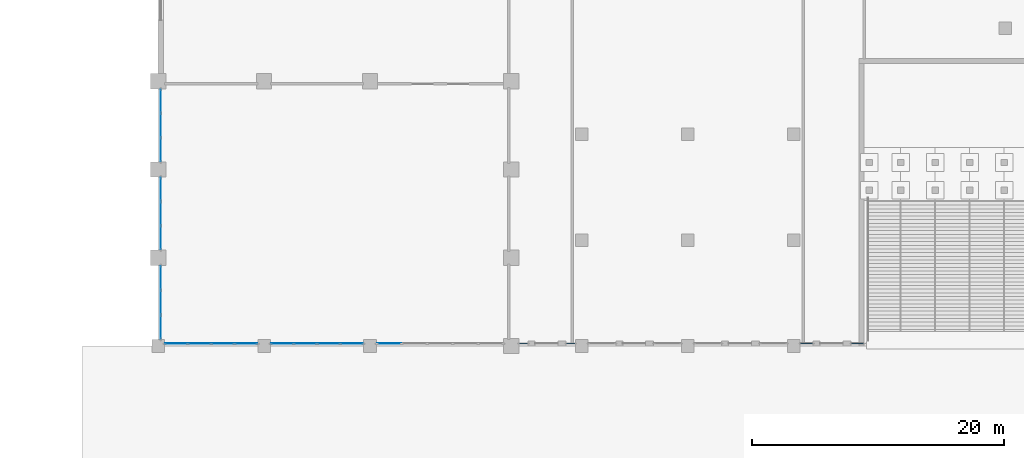
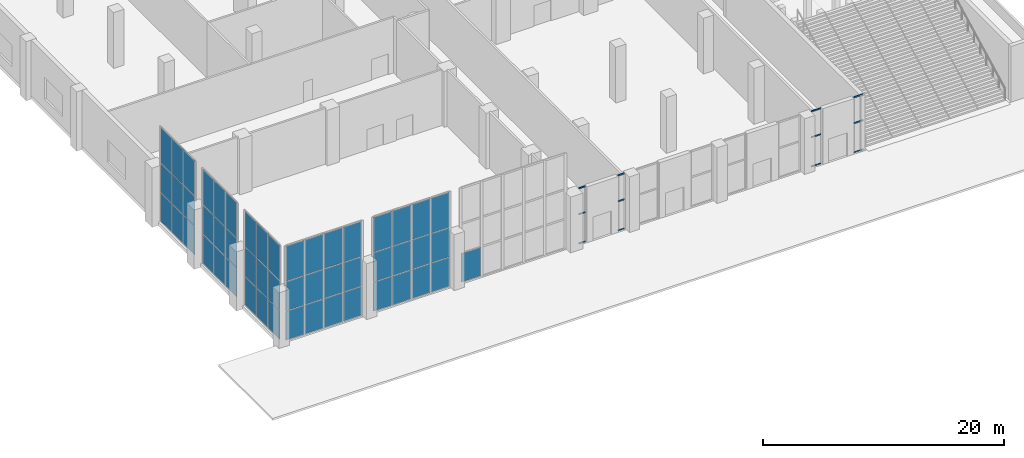
# One storey, part 8 of 25: 52 plates, 12 members, 10 elements without a shape of their own.
"""IFC4 building model written with IfcOpenShell, lengths in metres."""

from ifc_helpers import new_model, si_unit, direction, frame, origin, origin_2d, place, context, subcontext, project, spatial, rectangle, hollow_rectangle, extrude, material, layer, layer_set, material_profile, profile_set, type_object, element, aggregate, save


model = new_model("IFC4")

# Units and contexts
model_context = context("Model", 3, precision=1e-05, world=origin(), true_north=direction((0.0, 1.0)))
body_context = subcontext(model_context, "Body", "Model", "MODEL_VIEW")
ifc_project = project(units=[si_unit("LENGTHUNIT", "METRE"), si_unit("AREAUNIT", "SQUARE_METRE"), si_unit("VOLUMEUNIT", "CUBIC_METRE"), si_unit("PLANEANGLEUNIT", "RADIAN"), si_unit("MASSUNIT", "GRAM", prefix="KILO")], contexts=[model_context])

# Site, building, storey
site_placement = place(None, origin())
site = spatial("IfcSite", under=ifc_project, at=site_placement, CompositionType="ELEMENT")
building_placement = place(site_placement, origin())
building = spatial("IfcBuilding", under=site, at=building_placement, Name="Ostrander Bayou Hotel Tower", CompositionType="ELEMENT")
storey_placement = place(building_placement, origin())
storey = spatial("IfcBuildingStorey", under=building, at=storey_placement, Name="L00", CompositionType="ELEMENT", Elevation=0.0)

# Curtain wall, members
ifc_material_1 = material(Name="Aluminium and clear glass", Category="aluminium")
curtain_wall_type_1 = type_object("IfcCurtainWallType", Name="CW-LOBBY glazed wall", PredefinedType="NOTDEFINED", material=ifc_material_1)
curtain_wall_1_placement = place(storey_placement, origin())
curtain_wall_1 = element("IfcCurtainWall", 1, at=curtain_wall_1_placement, inside=storey, type_object=curtain_wall_type_1, Name="CW-LOBBY L00:2:A", PredefinedType="NOTDEFINED")
ifc_material_2 = material(Name="Aluminium", Category="aluminium")
ifc_material_profile = material_profile(ifc_material_2, hollow_rectangle(XDim=0.070068359375, YDim=0.139892578125, WallThickness=0.00390625, at=origin_2d()))
ifc_profile_set = profile_set([ifc_material_profile], Name="Aluminium")
member_type = type_object("IfcMemberType", Name="CW-LO transom 70 x 140 mm", PredefinedType="USERDEFINED", material=ifc_profile_set)
member_1_placement = place(storey_placement, frame((13.93994140625, -50.199951171875, 0.030029296875), z_axis=(-1.0, 0.0, 0.0), x_axis=(0.0, -1.0, 0.0)))
member_1 = element("IfcMember", 2, at=member_1_placement, type_object=member_type, Name="CW-LOBBY transom 1.1", ObjectType="TRANSOM", PredefinedType="USERDEFINED", context=body_context, shape_type="SweptSolid", body=[
    extrude(hollow_rectangle(XDim=0.070068359375, YDim=0.139892578125, WallThickness=0.00390625, at=origin_2d()), origin(), (0.0, 0.0, 1.0), 0.929931640625),
])
member_2_placement = place(storey_placement, frame((13.93994140625, -50.199951171875, 3.0), z_axis=(-1.0, 0.0, 0.0), x_axis=(0.0, -1.0, 0.0)))
member_2 = element("IfcMember", 3, at=member_2_placement, type_object=member_type, Name="CW-LOBBY transom 1.2", ObjectType="TRANSOM", PredefinedType="USERDEFINED", context=body_context, shape_type="SweptSolid", body=[
    extrude(hollow_rectangle(XDim=0.070068359375, YDim=0.139892578125, WallThickness=0.00390625, at=origin_2d()), origin(), (0.0, 0.0, 1.0), 0.929931640625),
])
member_3_placement = place(storey_placement, frame((13.93994140625, -50.199951171875, 5.6201171875), z_axis=(-1.0, 0.0, 0.0), x_axis=(0.0, -1.0, 0.0)))
member_3 = element("IfcMember", 4, at=member_3_placement, type_object=member_type, Name="CW-LOBBY transom 1.3", ObjectType="TRANSOM", PredefinedType="USERDEFINED", context=body_context, shape_type="SweptSolid", body=[
    extrude(hollow_rectangle(XDim=0.070068359375, YDim=0.139892578125, WallThickness=0.00390625, at=origin_2d()), origin(), (0.0, 0.0, 1.0), 0.929931640625),
])
aggregate(curtain_wall_1, [member_1, member_2, member_3])

curtain_wall_2_placement = place(storey_placement, origin())
curtain_wall_2 = element("IfcCurtainWall", 5, at=curtain_wall_2_placement, inside=storey, type_object=curtain_wall_type_1, Name="CW-LOBBY L00:2:B", PredefinedType="NOTDEFINED")
member_4_placement = place(storey_placement, frame((9.889892578125, -50.199951171875, 0.030029296875), z_axis=(-1.0, 0.0, 0.0), x_axis=(0.0, -1.0, 0.0)))
member_4 = element("IfcMember", 6, at=member_4_placement, type_object=member_type, Name="CW-LOBBY transom 1.1", ObjectType="TRANSOM", PredefinedType="USERDEFINED", context=body_context, shape_type="SweptSolid", body=[
    extrude(hollow_rectangle(XDim=0.070068359375, YDim=0.139892578125, WallThickness=0.00390625, at=origin_2d()), origin(), (0.0, 0.0, 1.0), 0.929931640625),
])
member_5_placement = place(storey_placement, frame((9.889892578125, -50.199951171875, 3.0), z_axis=(-1.0, 0.0, 0.0), x_axis=(0.0, -1.0, 0.0)))
member_5 = element("IfcMember", 7, at=member_5_placement, type_object=member_type, Name="CW-LOBBY transom 1.2", ObjectType="TRANSOM", PredefinedType="USERDEFINED", context=body_context, shape_type="SweptSolid", body=[
    extrude(hollow_rectangle(XDim=0.070068359375, YDim=0.139892578125, WallThickness=0.00390625, at=origin_2d()), origin(), (0.0, 0.0, 1.0), 0.929931640625),
])
member_6_placement = place(storey_placement, frame((9.889892578125, -50.199951171875, 5.6201171875), z_axis=(-1.0, 0.0, 0.0), x_axis=(0.0, -1.0, 0.0)))
member_6 = element("IfcMember", 8, at=member_6_placement, type_object=member_type, Name="CW-LOBBY transom 1.3", ObjectType="TRANSOM", PredefinedType="USERDEFINED", context=body_context, shape_type="SweptSolid", body=[
    extrude(hollow_rectangle(XDim=0.070068359375, YDim=0.139892578125, WallThickness=0.00390625, at=origin_2d()), origin(), (0.0, 0.0, 1.0), 0.929931640625),
])
aggregate(curtain_wall_2, [member_4, member_5, member_6])

curtain_wall_3_placement = place(storey_placement, origin())
curtain_wall_3 = element("IfcCurtainWall", 9, at=curtain_wall_3_placement, inside=storey, type_object=curtain_wall_type_1, Name="CW-LOBBY L00:5:A", PredefinedType="NOTDEFINED")
member_7_placement = place(storey_placement, frame((-8.9599609375, -50.199951171875, 0.030029296875), z_axis=(-1.0, 0.0, 0.0), x_axis=(0.0, -1.0, 0.0)))
member_7 = element("IfcMember", 10, at=member_7_placement, type_object=member_type, Name="CW-LOBBY transom 1.1", ObjectType="TRANSOM", PredefinedType="USERDEFINED", context=body_context, shape_type="SweptSolid", body=[
    extrude(hollow_rectangle(XDim=0.070068359375, YDim=0.139892578125, WallThickness=0.00390625, at=origin_2d()), origin(), (0.0, 0.0, 1.0), 0.630126953125),
])
member_8_placement = place(storey_placement, frame((-8.9599609375, -50.199951171875, 3.0), z_axis=(-1.0, 0.0, 0.0), x_axis=(0.0, -1.0, 0.0)))
member_8 = element("IfcMember", 11, at=member_8_placement, type_object=member_type, Name="CW-LOBBY transom 1.2", ObjectType="TRANSOM", PredefinedType="USERDEFINED", context=body_context, shape_type="SweptSolid", body=[
    extrude(hollow_rectangle(XDim=0.070068359375, YDim=0.139892578125, WallThickness=0.00390625, at=origin_2d()), origin(), (0.0, 0.0, 1.0), 0.630126953125),
])
member_9_placement = place(storey_placement, frame((-8.9599609375, -50.199951171875, 5.6201171875), z_axis=(-1.0, 0.0, 0.0), x_axis=(0.0, -1.0, 0.0)))
member_9 = element("IfcMember", 12, at=member_9_placement, type_object=member_type, Name="CW-LOBBY transom 1.3", ObjectType="TRANSOM", PredefinedType="USERDEFINED", context=body_context, shape_type="SweptSolid", body=[
    extrude(hollow_rectangle(XDim=0.070068359375, YDim=0.139892578125, WallThickness=0.00390625, at=origin_2d()), origin(), (0.0, 0.0, 1.0), 0.630126953125),
])
aggregate(curtain_wall_3, [member_7, member_8, member_9])

curtain_wall_4_placement = place(storey_placement, origin())
curtain_wall_4 = element("IfcCurtainWall", 13, at=curtain_wall_4_placement, inside=storey, type_object=curtain_wall_type_1, Name="CW-LOBBY L00:5:B", PredefinedType="NOTDEFINED")
member_10_placement = place(storey_placement, frame((-12.7099609375, -50.199951171875, 0.030029296875), z_axis=(-1.0, 0.0, 0.0), x_axis=(0.0, -1.0, 0.0)))
member_10 = element("IfcMember", 14, at=member_10_placement, type_object=member_type, Name="CW-LOBBY transom 1.1", ObjectType="TRANSOM", PredefinedType="USERDEFINED", context=body_context, shape_type="SweptSolid", body=[
    extrude(hollow_rectangle(XDim=0.070068359375, YDim=0.139892578125, WallThickness=0.00390625, at=origin_2d()), origin(), (0.0, 0.0, 1.0), 0.630126953125),
])
member_11_placement = place(storey_placement, frame((-12.7099609375, -50.199951171875, 3.0), z_axis=(-1.0, 0.0, 0.0), x_axis=(0.0, -1.0, 0.0)))
member_11 = element("IfcMember", 15, at=member_11_placement, type_object=member_type, Name="CW-LOBBY transom 1.2", ObjectType="TRANSOM", PredefinedType="USERDEFINED", context=body_context, shape_type="SweptSolid", body=[
    extrude(hollow_rectangle(XDim=0.070068359375, YDim=0.139892578125, WallThickness=0.00390625, at=origin_2d()), origin(), (0.0, 0.0, 1.0), 0.630126953125),
])
member_12_placement = place(storey_placement, frame((-12.7099609375, -50.199951171875, 5.6201171875), z_axis=(-1.0, 0.0, 0.0), x_axis=(0.0, -1.0, 0.0)))
member_12 = element("IfcMember", 16, at=member_12_placement, type_object=member_type, Name="CW-LOBBY transom 1.3", ObjectType="TRANSOM", PredefinedType="USERDEFINED", context=body_context, shape_type="SweptSolid", body=[
    extrude(hollow_rectangle(XDim=0.070068359375, YDim=0.139892578125, WallThickness=0.00390625, at=origin_2d()), origin(), (0.0, 0.0, 1.0), 0.630126953125),
])
aggregate(curtain_wall_4, [member_10, member_11, member_12])

# Curtain wall, plate
ifc_material_3 = material(Name="Aluminium and clear glass", Category="aluminium")
curtain_wall_type_2 = type_object("IfcCurtainWallType", Name="CW-BALL glazed wall", PredefinedType="NOTDEFINED", material=ifc_material_3)
curtain_wall_5_placement = place(storey_placement, origin())
curtain_wall_5 = element("IfcCurtainWall", 17, at=curtain_wall_5_placement, inside=storey, type_object=curtain_wall_type_2, Name="CW-BALL L00:6", PredefinedType="NOTDEFINED")
ifc_material_4 = material(Name="Clear laminated glass", Category="glass")
ifc_layer = layer(ifc_material_4, 0.028076171875)
ifc_layer_set = layer_set([ifc_layer], Name="CW-BL glazing panel 28 mm")
plate_type = type_object("IfcPlateType", Name="CW-BL glazing panel 28 mm", PredefinedType="CURTAIN_PANEL", material=ifc_layer_set)
plate_1_placement = place(storey_placement, frame((-23.675048828125, -50.199951171875, 0.06005859375), z_axis=(0.0, 0.0, 1.0), x_axis=(-1.0, 0.0, 0.0)))
plate_1 = element("IfcPlate", 18, at=plate_1_placement, type_object=plate_type, Name="CW-BALL panel 5.1", PredefinedType="CURTAIN_PANEL", context=body_context, shape_type="SweptSolid", body=[
    extrude(rectangle(XDim=1.929931640625, YDim=0.028076171875, at=origin_2d()), origin(), (0.0, 0.0, 1.0), 2.909912109375),
])
aggregate(curtain_wall_5, [plate_1])

# Curtain wall, plates
curtain_wall_6_placement = place(storey_placement, origin())
curtain_wall_6 = element("IfcCurtainWall", 19, at=curtain_wall_6_placement, inside=storey, type_object=curtain_wall_type_2, Name="CW-BALL L00:7", PredefinedType="NOTDEFINED")
plate_2_placement = place(storey_placement, frame((-26.639892578125, -50.199951171875, 0.06005859375), z_axis=(0.0, 0.0, 1.0), x_axis=(-1.0, 0.0, 0.0)))
plate_2 = element("IfcPlate", 20, at=plate_2_placement, type_object=plate_type, Name="CW-BALL panel 1.1", PredefinedType="CURTAIN_PANEL", context=body_context, shape_type="SweptSolid", body=[
    extrude(rectangle(XDim=1.760009765625, YDim=0.028076171875, at=origin_2d()), origin(), (0.0, 0.0, 1.0), 2.909912109375),
])
plate_3_placement = place(storey_placement, frame((-26.639892578125, -50.199951171875, 3.030029296875), z_axis=(0.0, 0.0, 1.0), x_axis=(-1.0, 0.0, 0.0)))
plate_3 = element("IfcPlate", 21, at=plate_3_placement, type_object=plate_type, Name="CW-BALL panel 1.2", PredefinedType="CURTAIN_PANEL", context=body_context, shape_type="SweptSolid", body=[
    extrude(rectangle(XDim=1.760009765625, YDim=0.028076171875, at=origin_2d()), origin(), (0.0, 0.0, 1.0), 2.93994140625),
])
plate_4_placement = place(storey_placement, frame((-26.639892578125, -50.199951171875, 6.030029296875), z_axis=(0.0, 0.0, 1.0), x_axis=(-1.0, 0.0, 0.0)))
plate_4 = element("IfcPlate", 22, at=plate_4_placement, type_object=plate_type, Name="CW-BALL panel 1.3", PredefinedType="CURTAIN_PANEL", context=body_context, shape_type="SweptSolid", body=[
    extrude(rectangle(XDim=1.760009765625, YDim=0.028076171875, at=origin_2d()), origin(), (0.0, 0.0, 1.0), 3.56005859375),
])
plate_5_placement = place(storey_placement, frame((-28.47509765625, -50.199951171875, 0.06005859375), z_axis=(0.0, 0.0, 1.0), x_axis=(-1.0, 0.0, 0.0)))
plate_5 = element("IfcPlate", 23, at=plate_5_placement, type_object=plate_type, Name="CW-BALL panel 2.1", PredefinedType="CURTAIN_PANEL", context=body_context, shape_type="SweptSolid", body=[
    extrude(rectangle(XDim=1.7900390625, YDim=0.028076171875, at=origin_2d()), origin(), (0.0, 0.0, 1.0), 2.909912109375),
])
plate_6_placement = place(storey_placement, frame((-28.47509765625, -50.199951171875, 3.030029296875), z_axis=(0.0, 0.0, 1.0), x_axis=(-1.0, 0.0, 0.0)))
plate_6 = element("IfcPlate", 24, at=plate_6_placement, type_object=plate_type, Name="CW-BALL panel 2.2", PredefinedType="CURTAIN_PANEL", context=body_context, shape_type="SweptSolid", body=[
    extrude(rectangle(XDim=1.7900390625, YDim=0.028076171875, at=origin_2d()), origin(), (0.0, 0.0, 1.0), 2.93994140625),
])
plate_7_placement = place(storey_placement, frame((-28.47509765625, -50.199951171875, 6.030029296875), z_axis=(0.0, 0.0, 1.0), x_axis=(-1.0, 0.0, 0.0)))
plate_7 = element("IfcPlate", 25, at=plate_7_placement, type_object=plate_type, Name="CW-BALL panel 2.3", PredefinedType="CURTAIN_PANEL", context=body_context, shape_type="SweptSolid", body=[
    extrude(rectangle(XDim=1.7900390625, YDim=0.028076171875, at=origin_2d()), origin(), (0.0, 0.0, 1.0), 3.56005859375),
])
plate_8_placement = place(storey_placement, frame((-30.324951171875, -50.199951171875, 0.06005859375), z_axis=(0.0, 0.0, 1.0), x_axis=(-1.0, 0.0, 0.0)))
plate_8 = element("IfcPlate", 26, at=plate_8_placement, type_object=plate_type, Name="CW-BALL panel 3.1", PredefinedType="CURTAIN_PANEL", context=body_context, shape_type="SweptSolid", body=[
    extrude(rectangle(XDim=1.7900390625, YDim=0.028076171875, at=origin_2d()), origin(), (0.0, 0.0, 1.0), 2.909912109375),
])
plate_9_placement = place(storey_placement, frame((-30.324951171875, -50.199951171875, 3.030029296875), z_axis=(0.0, 0.0, 1.0), x_axis=(-1.0, 0.0, 0.0)))
plate_9 = element("IfcPlate", 27, at=plate_9_placement, type_object=plate_type, Name="CW-BALL panel 3.2", PredefinedType="CURTAIN_PANEL", context=body_context, shape_type="SweptSolid", body=[
    extrude(rectangle(XDim=1.7900390625, YDim=0.028076171875, at=origin_2d()), origin(), (0.0, 0.0, 1.0), 2.93994140625),
])
plate_10_placement = place(storey_placement, frame((-30.324951171875, -50.199951171875, 6.030029296875), z_axis=(0.0, 0.0, 1.0), x_axis=(-1.0, 0.0, 0.0)))
plate_10 = element("IfcPlate", 28, at=plate_10_placement, type_object=plate_type, Name="CW-BALL panel 3.3", PredefinedType="CURTAIN_PANEL", context=body_context, shape_type="SweptSolid", body=[
    extrude(rectangle(XDim=1.7900390625, YDim=0.028076171875, at=origin_2d()), origin(), (0.0, 0.0, 1.0), 3.56005859375),
])
plate_11_placement = place(storey_placement, frame((-32.159912109375, -50.199951171875, 0.06005859375), z_axis=(0.0, 0.0, 1.0), x_axis=(-1.0, 0.0, 0.0)))
plate_11 = element("IfcPlate", 29, at=plate_11_placement, type_object=plate_type, Name="CW-BALL panel 4.1", PredefinedType="CURTAIN_PANEL", context=body_context, shape_type="SweptSolid", body=[
    extrude(rectangle(XDim=1.760009765625, YDim=0.028076171875, at=origin_2d()), origin(), (0.0, 0.0, 1.0), 2.909912109375),
])
plate_12_placement = place(storey_placement, frame((-32.159912109375, -50.199951171875, 3.030029296875), z_axis=(0.0, 0.0, 1.0), x_axis=(-1.0, 0.0, 0.0)))
plate_12 = element("IfcPlate", 30, at=plate_12_placement, type_object=plate_type, Name="CW-BALL panel 4.2", PredefinedType="CURTAIN_PANEL", context=body_context, shape_type="SweptSolid", body=[
    extrude(rectangle(XDim=1.760009765625, YDim=0.028076171875, at=origin_2d()), origin(), (0.0, 0.0, 1.0), 2.93994140625),
])
plate_13_placement = place(storey_placement, frame((-32.159912109375, -50.199951171875, 6.030029296875), z_axis=(0.0, 0.0, 1.0), x_axis=(-1.0, 0.0, 0.0)))
plate_13 = element("IfcPlate", 31, at=plate_13_placement, type_object=plate_type, Name="CW-BALL panel 4.3", PredefinedType="CURTAIN_PANEL", context=body_context, shape_type="SweptSolid", body=[
    extrude(rectangle(XDim=1.760009765625, YDim=0.028076171875, at=origin_2d()), origin(), (0.0, 0.0, 1.0), 3.56005859375),
])
aggregate(curtain_wall_6, [plate_2, plate_3, plate_4, plate_5, plate_6, plate_7, plate_8, plate_9, plate_10, plate_11, plate_12, plate_13])

curtain_wall_7_placement = place(storey_placement, origin())
curtain_wall_7 = element("IfcCurtainWall", 32, at=curtain_wall_7_placement, inside=storey, type_object=curtain_wall_type_2, Name="CW-BALL L00:8", PredefinedType="NOTDEFINED")
plate_14_placement = place(storey_placement, frame((-35.0400390625, -50.199951171875, 0.06005859375), z_axis=(0.0, 0.0, 1.0), x_axis=(-1.0, 0.0, 0.0)))
plate_14 = element("IfcPlate", 33, at=plate_14_placement, type_object=plate_type, Name="CW-BALL panel 1.1", PredefinedType="CURTAIN_PANEL", context=body_context, shape_type="SweptSolid", body=[
    extrude(rectangle(XDim=1.760009765625, YDim=0.028076171875, at=origin_2d()), origin(), (0.0, 0.0, 1.0), 2.909912109375),
])
plate_15_placement = place(storey_placement, frame((-35.0400390625, -50.199951171875, 3.030029296875), z_axis=(0.0, 0.0, 1.0), x_axis=(-1.0, 0.0, 0.0)))
plate_15 = element("IfcPlate", 34, at=plate_15_placement, type_object=plate_type, Name="CW-BALL panel 1.2", PredefinedType="CURTAIN_PANEL", context=body_context, shape_type="SweptSolid", body=[
    extrude(rectangle(XDim=1.760009765625, YDim=0.028076171875, at=origin_2d()), origin(), (0.0, 0.0, 1.0), 2.93994140625),
])
plate_16_placement = place(storey_placement, frame((-35.0400390625, -50.199951171875, 6.030029296875), z_axis=(0.0, 0.0, 1.0), x_axis=(-1.0, 0.0, 0.0)))
plate_16 = element("IfcPlate", 35, at=plate_16_placement, type_object=plate_type, Name="CW-BALL panel 1.3", PredefinedType="CURTAIN_PANEL", context=body_context, shape_type="SweptSolid", body=[
    extrude(rectangle(XDim=1.760009765625, YDim=0.028076171875, at=origin_2d()), origin(), (0.0, 0.0, 1.0), 3.56005859375),
])
plate_17_placement = place(storey_placement, frame((-36.875, -50.199951171875, 0.06005859375), z_axis=(0.0, 0.0, 1.0), x_axis=(-1.0, 0.0, 0.0)))
plate_17 = element("IfcPlate", 36, at=plate_17_placement, type_object=plate_type, Name="CW-BALL panel 2.1", PredefinedType="CURTAIN_PANEL", context=body_context, shape_type="SweptSolid", body=[
    extrude(rectangle(XDim=1.7900390625, YDim=0.028076171875, at=origin_2d()), origin(), (0.0, 0.0, 1.0), 2.909912109375),
])
plate_18_placement = place(storey_placement, frame((-36.875, -50.199951171875, 3.030029296875), z_axis=(0.0, 0.0, 1.0), x_axis=(-1.0, 0.0, 0.0)))
plate_18 = element("IfcPlate", 37, at=plate_18_placement, type_object=plate_type, Name="CW-BALL panel 2.2", PredefinedType="CURTAIN_PANEL", context=body_context, shape_type="SweptSolid", body=[
    extrude(rectangle(XDim=1.7900390625, YDim=0.028076171875, at=origin_2d()), origin(), (0.0, 0.0, 1.0), 2.93994140625),
])
plate_19_placement = place(storey_placement, frame((-36.875, -50.199951171875, 6.030029296875), z_axis=(0.0, 0.0, 1.0), x_axis=(-1.0, 0.0, 0.0)))
plate_19 = element("IfcPlate", 38, at=plate_19_placement, type_object=plate_type, Name="CW-BALL panel 2.3", PredefinedType="CURTAIN_PANEL", context=body_context, shape_type="SweptSolid", body=[
    extrude(rectangle(XDim=1.7900390625, YDim=0.028076171875, at=origin_2d()), origin(), (0.0, 0.0, 1.0), 3.56005859375),
])
plate_20_placement = place(storey_placement, frame((-38.72509765625, -50.199951171875, 0.06005859375), z_axis=(0.0, 0.0, 1.0), x_axis=(-1.0, 0.0, 0.0)))
plate_20 = element("IfcPlate", 39, at=plate_20_placement, type_object=plate_type, Name="CW-BALL panel 3.1", PredefinedType="CURTAIN_PANEL", context=body_context, shape_type="SweptSolid", body=[
    extrude(rectangle(XDim=1.7900390625, YDim=0.028076171875, at=origin_2d()), origin(), (0.0, 0.0, 1.0), 2.909912109375),
])
plate_21_placement = place(storey_placement, frame((-38.72509765625, -50.199951171875, 3.030029296875), z_axis=(0.0, 0.0, 1.0), x_axis=(-1.0, 0.0, 0.0)))
plate_21 = element("IfcPlate", 40, at=plate_21_placement, type_object=plate_type, Name="CW-BALL panel 3.2", PredefinedType="CURTAIN_PANEL", context=body_context, shape_type="SweptSolid", body=[
    extrude(rectangle(XDim=1.7900390625, YDim=0.028076171875, at=origin_2d()), origin(), (0.0, 0.0, 1.0), 2.93994140625),
])
plate_22_placement = place(storey_placement, frame((-38.72509765625, -50.199951171875, 6.030029296875), z_axis=(0.0, 0.0, 1.0), x_axis=(-1.0, 0.0, 0.0)))
plate_22 = element("IfcPlate", 41, at=plate_22_placement, type_object=plate_type, Name="CW-BALL panel 3.3", PredefinedType="CURTAIN_PANEL", context=body_context, shape_type="SweptSolid", body=[
    extrude(rectangle(XDim=1.7900390625, YDim=0.028076171875, at=origin_2d()), origin(), (0.0, 0.0, 1.0), 3.56005859375),
])
plate_23_placement = place(storey_placement, frame((-40.56005859375, -50.199951171875, 0.06005859375), z_axis=(0.0, 0.0, 1.0), x_axis=(-1.0, 0.0, 0.0)))
plate_23 = element("IfcPlate", 42, at=plate_23_placement, type_object=plate_type, Name="CW-BALL panel 4.1", PredefinedType="CURTAIN_PANEL", context=body_context, shape_type="SweptSolid", body=[
    extrude(rectangle(XDim=1.760009765625, YDim=0.028076171875, at=origin_2d()), origin(), (0.0, 0.0, 1.0), 2.909912109375),
])
plate_24_placement = place(storey_placement, frame((-40.56005859375, -50.199951171875, 3.030029296875), z_axis=(0.0, 0.0, 1.0), x_axis=(-1.0, 0.0, 0.0)))
plate_24 = element("IfcPlate", 43, at=plate_24_placement, type_object=plate_type, Name="CW-BALL panel 4.2", PredefinedType="CURTAIN_PANEL", context=body_context, shape_type="SweptSolid", body=[
    extrude(rectangle(XDim=1.760009765625, YDim=0.028076171875, at=origin_2d()), origin(), (0.0, 0.0, 1.0), 2.93994140625),
])
plate_25_placement = place(storey_placement, frame((-40.56005859375, -50.199951171875, 6.030029296875), z_axis=(0.0, 0.0, 1.0), x_axis=(-1.0, 0.0, 0.0)))
plate_25 = element("IfcPlate", 44, at=plate_25_placement, type_object=plate_type, Name="CW-BALL panel 4.3", PredefinedType="CURTAIN_PANEL", context=body_context, shape_type="SweptSolid", body=[
    extrude(rectangle(XDim=1.760009765625, YDim=0.028076171875, at=origin_2d()), origin(), (0.0, 0.0, 1.0), 3.56005859375),
])
aggregate(curtain_wall_7, [plate_14, plate_15, plate_16, plate_17, plate_18, plate_19, plate_20, plate_21, plate_22, plate_23, plate_24, plate_25])

curtain_wall_8_placement = place(storey_placement, origin())
curtain_wall_8 = element("IfcCurtainWall", 45, at=curtain_wall_8_placement, inside=storey, type_object=curtain_wall_type_2, Name="CW-BALL L00:29", PredefinedType="NOTDEFINED")
plate_26_placement = place(storey_placement, frame((-41.800048828125, -48.901611328125, 0.06005859375), z_axis=(0.0, 0.0, 1.0), x_axis=(0.0, 1.0, 0.0)))
plate_26 = element("IfcPlate", 46, at=plate_26_placement, type_object=plate_type, Name="CW-BALL panel 1.1", PredefinedType="CURTAIN_PANEL", context=body_context, shape_type="SweptSolid", body=[
    extrude(rectangle(XDim=1.876708984375, YDim=0.028076171875, at=origin_2d()), origin(), (0.0, 0.0, 1.0), 2.909912109375),
])
plate_27_placement = place(storey_placement, frame((-41.800048828125, -48.901611328125, 3.030029296875), z_axis=(0.0, 0.0, 1.0), x_axis=(0.0, 1.0, 0.0)))
plate_27 = element("IfcPlate", 47, at=plate_27_placement, type_object=plate_type, Name="CW-BALL panel 1.2", PredefinedType="CURTAIN_PANEL", context=body_context, shape_type="SweptSolid", body=[
    extrude(rectangle(XDim=1.876708984375, YDim=0.028076171875, at=origin_2d()), origin(), (0.0, 0.0, 1.0), 2.93994140625),
])
plate_28_placement = place(storey_placement, frame((-41.800048828125, -48.901611328125, 6.030029296875), z_axis=(0.0, 0.0, 1.0), x_axis=(0.0, 1.0, 0.0)))
plate_28 = element("IfcPlate", 48, at=plate_28_placement, type_object=plate_type, Name="CW-BALL panel 1.3", PredefinedType="CURTAIN_PANEL", context=body_context, shape_type="SweptSolid", body=[
    extrude(rectangle(XDim=1.876708984375, YDim=0.028076171875, at=origin_2d()), origin(), (0.0, 0.0, 1.0), 3.56005859375),
])
plate_29_placement = place(storey_placement, frame((-41.800048828125, -46.949951171875, 0.06005859375), z_axis=(0.0, 0.0, 1.0), x_axis=(0.0, 1.0, 0.0)))
plate_29 = element("IfcPlate", 49, at=plate_29_placement, type_object=plate_type, Name="CW-BALL panel 2.1", PredefinedType="CURTAIN_PANEL", context=body_context, shape_type="SweptSolid", body=[
    extrude(rectangle(XDim=1.90673828125, YDim=0.028076171875, at=origin_2d()), origin(), (0.0, 0.0, 1.0), 2.909912109375),
])
plate_30_placement = place(storey_placement, frame((-41.800048828125, -46.949951171875, 3.030029296875), z_axis=(0.0, 0.0, 1.0), x_axis=(0.0, 1.0, 0.0)))
plate_30 = element("IfcPlate", 50, at=plate_30_placement, type_object=plate_type, Name="CW-BALL panel 2.2", PredefinedType="CURTAIN_PANEL", context=body_context, shape_type="SweptSolid", body=[
    extrude(rectangle(XDim=1.90673828125, YDim=0.028076171875, at=origin_2d()), origin(), (0.0, 0.0, 1.0), 2.93994140625),
])
plate_31_placement = place(storey_placement, frame((-41.800048828125, -46.949951171875, 6.030029296875), z_axis=(0.0, 0.0, 1.0), x_axis=(0.0, 1.0, 0.0)))
plate_31 = element("IfcPlate", 51, at=plate_31_placement, type_object=plate_type, Name="CW-BALL panel 2.3", PredefinedType="CURTAIN_PANEL", context=body_context, shape_type="SweptSolid", body=[
    extrude(rectangle(XDim=1.90673828125, YDim=0.028076171875, at=origin_2d()), origin(), (0.0, 0.0, 1.0), 3.56005859375),
])
plate_32_placement = place(storey_placement, frame((-41.800048828125, -44.998291015625, 0.06005859375), z_axis=(0.0, 0.0, 1.0), x_axis=(0.0, 1.0, 0.0)))
plate_32 = element("IfcPlate", 52, at=plate_32_placement, type_object=plate_type, Name="CW-BALL panel 3.1", PredefinedType="CURTAIN_PANEL", context=body_context, shape_type="SweptSolid", body=[
    extrude(rectangle(XDim=1.876708984375, YDim=0.028076171875, at=origin_2d()), origin(), (0.0, 0.0, 1.0), 2.909912109375),
])
plate_33_placement = place(storey_placement, frame((-41.800048828125, -44.998291015625, 3.030029296875), z_axis=(0.0, 0.0, 1.0), x_axis=(0.0, 1.0, 0.0)))
plate_33 = element("IfcPlate", 53, at=plate_33_placement, type_object=plate_type, Name="CW-BALL panel 3.2", PredefinedType="CURTAIN_PANEL", context=body_context, shape_type="SweptSolid", body=[
    extrude(rectangle(XDim=1.876708984375, YDim=0.028076171875, at=origin_2d()), origin(), (0.0, 0.0, 1.0), 2.93994140625),
])
plate_34_placement = place(storey_placement, frame((-41.800048828125, -44.998291015625, 6.030029296875), z_axis=(0.0, 0.0, 1.0), x_axis=(0.0, 1.0, 0.0)))
plate_34 = element("IfcPlate", 54, at=plate_34_placement, type_object=plate_type, Name="CW-BALL panel 3.3", PredefinedType="CURTAIN_PANEL", context=body_context, shape_type="SweptSolid", body=[
    extrude(rectangle(XDim=1.876708984375, YDim=0.028076171875, at=origin_2d()), origin(), (0.0, 0.0, 1.0), 3.56005859375),
])
aggregate(curtain_wall_8, [plate_26, plate_27, plate_28, plate_29, plate_30, plate_31, plate_32, plate_33, plate_34])

curtain_wall_9_placement = place(storey_placement, origin())
curtain_wall_9 = element("IfcCurtainWall", 55, at=curtain_wall_9_placement, inside=storey, type_object=curtain_wall_type_2, Name="CW-BALL L00:30", PredefinedType="NOTDEFINED")
plate_35_placement = place(storey_placement, frame((-41.800048828125, -41.818359375, 0.06005859375), z_axis=(0.0, 0.0, 1.0), x_axis=(0.0, 1.0, 0.0)))
plate_35 = element("IfcPlate", 56, at=plate_35_placement, type_object=plate_type, Name="CW-BALL panel 1.1", PredefinedType="CURTAIN_PANEL", context=body_context, shape_type="SweptSolid", body=[
    extrude(rectangle(XDim=1.84326171875, YDim=0.028076171875, at=origin_2d()), origin(), (0.0, 0.0, 1.0), 2.909912109375),
])
plate_36_placement = place(storey_placement, frame((-41.800048828125, -41.818359375, 3.030029296875), z_axis=(0.0, 0.0, 1.0), x_axis=(0.0, 1.0, 0.0)))
plate_36 = element("IfcPlate", 57, at=plate_36_placement, type_object=plate_type, Name="CW-BALL panel 1.2", PredefinedType="CURTAIN_PANEL", context=body_context, shape_type="SweptSolid", body=[
    extrude(rectangle(XDim=1.84326171875, YDim=0.028076171875, at=origin_2d()), origin(), (0.0, 0.0, 1.0), 2.93994140625),
])
plate_37_placement = place(storey_placement, frame((-41.800048828125, -41.818359375, 6.030029296875), z_axis=(0.0, 0.0, 1.0), x_axis=(0.0, 1.0, 0.0)))
plate_37 = element("IfcPlate", 58, at=plate_37_placement, type_object=plate_type, Name="CW-BALL panel 1.3", PredefinedType="CURTAIN_PANEL", context=body_context, shape_type="SweptSolid", body=[
    extrude(rectangle(XDim=1.84326171875, YDim=0.028076171875, at=origin_2d()), origin(), (0.0, 0.0, 1.0), 3.56005859375),
])
plate_38_placement = place(storey_placement, frame((-41.800048828125, -39.89990234375, 0.06005859375), z_axis=(0.0, 0.0, 1.0), x_axis=(0.0, 1.0, 0.0)))
plate_38 = element("IfcPlate", 59, at=plate_38_placement, type_object=plate_type, Name="CW-BALL panel 2.1", PredefinedType="CURTAIN_PANEL", context=body_context, shape_type="SweptSolid", body=[
    extrude(rectangle(XDim=1.873291015625, YDim=0.028076171875, at=origin_2d()), origin(), (0.0, 0.0, 1.0), 2.909912109375),
])
plate_39_placement = place(storey_placement, frame((-41.800048828125, -39.89990234375, 3.030029296875), z_axis=(0.0, 0.0, 1.0), x_axis=(0.0, 1.0, 0.0)))
plate_39 = element("IfcPlate", 60, at=plate_39_placement, type_object=plate_type, Name="CW-BALL panel 2.2", PredefinedType="CURTAIN_PANEL", context=body_context, shape_type="SweptSolid", body=[
    extrude(rectangle(XDim=1.873291015625, YDim=0.028076171875, at=origin_2d()), origin(), (0.0, 0.0, 1.0), 2.93994140625),
])
plate_40_placement = place(storey_placement, frame((-41.800048828125, -39.89990234375, 6.030029296875), z_axis=(0.0, 0.0, 1.0), x_axis=(0.0, 1.0, 0.0)))
plate_40 = element("IfcPlate", 61, at=plate_40_placement, type_object=plate_type, Name="CW-BALL panel 2.3", PredefinedType="CURTAIN_PANEL", context=body_context, shape_type="SweptSolid", body=[
    extrude(rectangle(XDim=1.873291015625, YDim=0.028076171875, at=origin_2d()), origin(), (0.0, 0.0, 1.0), 3.56005859375),
])
plate_41_placement = place(storey_placement, frame((-41.800048828125, -37.981689453125, 0.06005859375), z_axis=(0.0, 0.0, 1.0), x_axis=(0.0, 1.0, 0.0)))
plate_41 = element("IfcPlate", 62, at=plate_41_placement, type_object=plate_type, Name="CW-BALL panel 3.1", PredefinedType="CURTAIN_PANEL", context=body_context, shape_type="SweptSolid", body=[
    extrude(rectangle(XDim=1.84326171875, YDim=0.028076171875, at=origin_2d()), origin(), (0.0, 0.0, 1.0), 2.909912109375),
])
plate_42_placement = place(storey_placement, frame((-41.800048828125, -37.981689453125, 3.030029296875), z_axis=(0.0, 0.0, 1.0), x_axis=(0.0, 1.0, 0.0)))
plate_42 = element("IfcPlate", 63, at=plate_42_placement, type_object=plate_type, Name="CW-BALL panel 3.2", PredefinedType="CURTAIN_PANEL", context=body_context, shape_type="SweptSolid", body=[
    extrude(rectangle(XDim=1.84326171875, YDim=0.028076171875, at=origin_2d()), origin(), (0.0, 0.0, 1.0), 2.93994140625),
])
plate_43_placement = place(storey_placement, frame((-41.800048828125, -37.981689453125, 6.030029296875), z_axis=(0.0, 0.0, 1.0), x_axis=(0.0, 1.0, 0.0)))
plate_43 = element("IfcPlate", 64, at=plate_43_placement, type_object=plate_type, Name="CW-BALL panel 3.3", PredefinedType="CURTAIN_PANEL", context=body_context, shape_type="SweptSolid", body=[
    extrude(rectangle(XDim=1.84326171875, YDim=0.028076171875, at=origin_2d()), origin(), (0.0, 0.0, 1.0), 3.56005859375),
])
aggregate(curtain_wall_9, [plate_35, plate_36, plate_37, plate_38, plate_39, plate_40, plate_41, plate_42, plate_43])

curtain_wall_10_placement = place(storey_placement, origin())
curtain_wall_10 = element("IfcCurtainWall", 65, at=curtain_wall_10_placement, inside=storey, type_object=curtain_wall_type_2, Name="CW-BALL L00:31", PredefinedType="NOTDEFINED")
plate_44_placement = place(storey_placement, frame((-41.800048828125, -34.818359375, 0.06005859375), z_axis=(0.0, 0.0, 1.0), x_axis=(0.0, 1.0, 0.0)))
plate_44 = element("IfcPlate", 66, at=plate_44_placement, type_object=plate_type, Name="CW-BALL panel 1.1", PredefinedType="CURTAIN_PANEL", context=body_context, shape_type="SweptSolid", body=[
    extrude(rectangle(XDim=1.84326171875, YDim=0.028076171875, at=origin_2d()), origin(), (0.0, 0.0, 1.0), 2.909912109375),
])
plate_45_placement = place(storey_placement, frame((-41.800048828125, -34.818359375, 3.030029296875), z_axis=(0.0, 0.0, 1.0), x_axis=(0.0, 1.0, 0.0)))
plate_45 = element("IfcPlate", 67, at=plate_45_placement, type_object=plate_type, Name="CW-BALL panel 1.2", PredefinedType="CURTAIN_PANEL", context=body_context, shape_type="SweptSolid", body=[
    extrude(rectangle(XDim=1.84326171875, YDim=0.028076171875, at=origin_2d()), origin(), (0.0, 0.0, 1.0), 2.93994140625),
])
plate_46_placement = place(storey_placement, frame((-41.800048828125, -34.818359375, 6.030029296875), z_axis=(0.0, 0.0, 1.0), x_axis=(0.0, 1.0, 0.0)))
plate_46 = element("IfcPlate", 68, at=plate_46_placement, type_object=plate_type, Name="CW-BALL panel 1.3", PredefinedType="CURTAIN_PANEL", context=body_context, shape_type="SweptSolid", body=[
    extrude(rectangle(XDim=1.84326171875, YDim=0.028076171875, at=origin_2d()), origin(), (0.0, 0.0, 1.0), 3.56005859375),
])
plate_47_placement = place(storey_placement, frame((-41.800048828125, -32.89990234375, 0.06005859375), z_axis=(0.0, 0.0, 1.0), x_axis=(0.0, 1.0, 0.0)))
plate_47 = element("IfcPlate", 69, at=plate_47_placement, type_object=plate_type, Name="CW-BALL panel 2.1", PredefinedType="CURTAIN_PANEL", context=body_context, shape_type="SweptSolid", body=[
    extrude(rectangle(XDim=1.873291015625, YDim=0.028076171875, at=origin_2d()), origin(), (0.0, 0.0, 1.0), 2.909912109375),
])
plate_48_placement = place(storey_placement, frame((-41.800048828125, -32.89990234375, 3.030029296875), z_axis=(0.0, 0.0, 1.0), x_axis=(0.0, 1.0, 0.0)))
plate_48 = element("IfcPlate", 70, at=plate_48_placement, type_object=plate_type, Name="CW-BALL panel 2.2", PredefinedType="CURTAIN_PANEL", context=body_context, shape_type="SweptSolid", body=[
    extrude(rectangle(XDim=1.873291015625, YDim=0.028076171875, at=origin_2d()), origin(), (0.0, 0.0, 1.0), 2.93994140625),
])
plate_49_placement = place(storey_placement, frame((-41.800048828125, -32.89990234375, 6.030029296875), z_axis=(0.0, 0.0, 1.0), x_axis=(0.0, 1.0, 0.0)))
plate_49 = element("IfcPlate", 71, at=plate_49_placement, type_object=plate_type, Name="CW-BALL panel 2.3", PredefinedType="CURTAIN_PANEL", context=body_context, shape_type="SweptSolid", body=[
    extrude(rectangle(XDim=1.873291015625, YDim=0.028076171875, at=origin_2d()), origin(), (0.0, 0.0, 1.0), 3.56005859375),
])
plate_50_placement = place(storey_placement, frame((-41.800048828125, -30.981689453125, 0.06005859375), z_axis=(0.0, 0.0, 1.0), x_axis=(0.0, 1.0, 0.0)))
plate_50 = element("IfcPlate", 72, at=plate_50_placement, type_object=plate_type, Name="CW-BALL panel 3.1", PredefinedType="CURTAIN_PANEL", context=body_context, shape_type="SweptSolid", body=[
    extrude(rectangle(XDim=1.84326171875, YDim=0.028076171875, at=origin_2d()), origin(), (0.0, 0.0, 1.0), 2.909912109375),
])
plate_51_placement = place(storey_placement, frame((-41.800048828125, -30.981689453125, 3.030029296875), z_axis=(0.0, 0.0, 1.0), x_axis=(0.0, 1.0, 0.0)))
plate_51 = element("IfcPlate", 73, at=plate_51_placement, type_object=plate_type, Name="CW-BALL panel 3.2", PredefinedType="CURTAIN_PANEL", context=body_context, shape_type="SweptSolid", body=[
    extrude(rectangle(XDim=1.84326171875, YDim=0.028076171875, at=origin_2d()), origin(), (0.0, 0.0, 1.0), 2.93994140625),
])
plate_52_placement = place(storey_placement, frame((-41.800048828125, -30.981689453125, 6.030029296875), z_axis=(0.0, 0.0, 1.0), x_axis=(0.0, 1.0, 0.0)))
plate_52 = element("IfcPlate", 74, at=plate_52_placement, type_object=plate_type, Name="CW-BALL panel 3.3", PredefinedType="CURTAIN_PANEL", context=body_context, shape_type="SweptSolid", body=[
    extrude(rectangle(XDim=1.84326171875, YDim=0.028076171875, at=origin_2d()), origin(), (0.0, 0.0, 1.0), 3.56005859375),
])
aggregate(curtain_wall_10, [plate_44, plate_45, plate_46, plate_47, plate_48, plate_49, plate_50, plate_51, plate_52])

save(model, "model.ifc")
